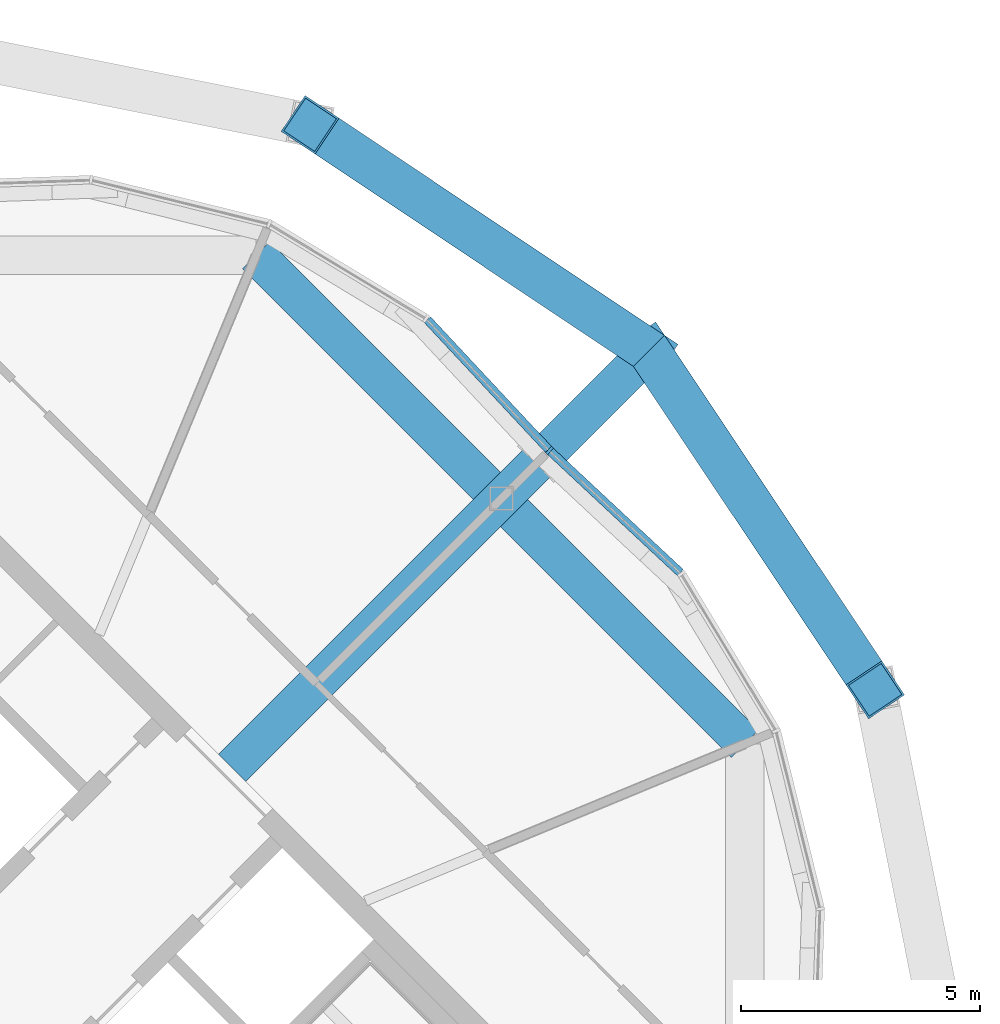
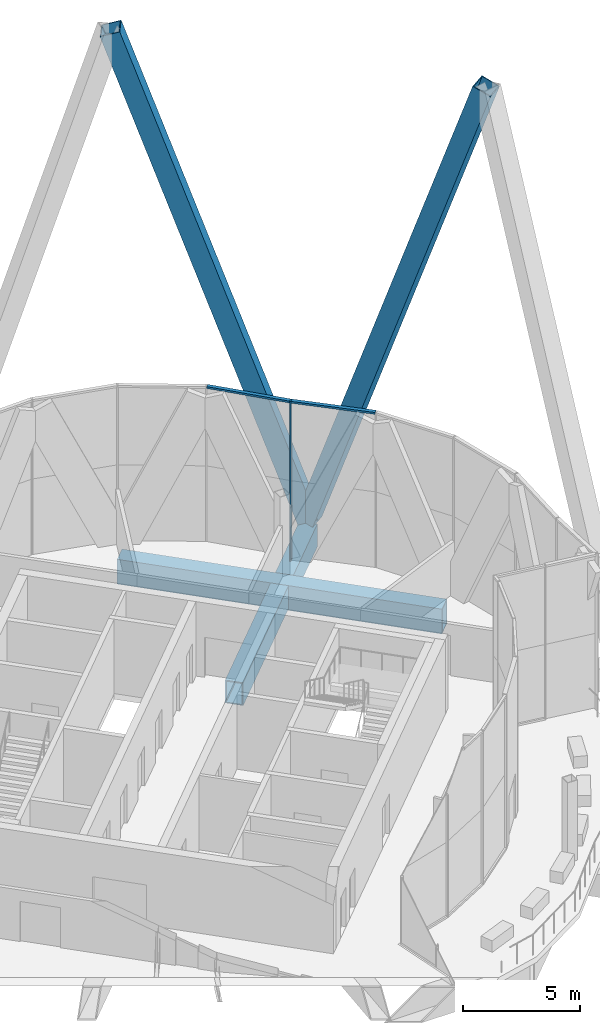
# One storey, part 24 of 38: 5 members, 2 beams, 2 elements without a shape of their own.
"""IFC4 building model written with IfcOpenShell, lengths in metres."""

from ifc_helpers import new_model, si_unit, direction, frame, origin, origin_2d, place, context, subcontext, project, spatial, rectangle, hollow_rectangle, extrude, material, material_profile, profile_set, type_object, element, aggregate, save


model = new_model("IFC4")

# Units and contexts
model_context = context("Model", 3, precision=1e-05, world=origin(), true_north=direction((0.0, 1.0)))
body_context = subcontext(model_context, "Body", "Model", "MODEL_VIEW")
ifc_project = project(units=[si_unit("LENGTHUNIT", "METRE"), si_unit("AREAUNIT", "SQUARE_METRE"), si_unit("VOLUMEUNIT", "CUBIC_METRE"), si_unit("PLANEANGLEUNIT", "RADIAN"), si_unit("MASSUNIT", "GRAM", prefix="KILO")], contexts=[model_context])

# Site, building, storey
site_placement = place(None, origin())
site = spatial("IfcSite", under=ifc_project, at=site_placement, CompositionType="ELEMENT")
building_placement = place(site_placement, origin())
building = spatial("IfcBuilding", under=site, at=building_placement, Name="Ogive Gate Towers", CompositionType="ELEMENT")
storey_placement = place(building_placement, frame((0.0, 0.0, 268.800048828125)))
storey = spatial("IfcBuildingStorey", under=building, at=storey_placement, Name="L63", CompositionType="ELEMENT", Elevation=268.800048828125)

# Members
ifc_material_1 = material(Name="Steel SM460", Category="steel")
ifc_material_profile_1 = material_profile(ifc_material_1, hollow_rectangle(XDim=0.89990234375, YDim=0.89990234375, WallThickness=0.0400390625, at=origin_2d()), Name="BX 900x900x40")
ifc_profile_set_1 = profile_set([ifc_material_profile_1], Name="Steel SM460")
member_type_1 = type_object("IfcMemberType", Name="Diagrid diagonal BX 900x900x40", PredefinedType="BRACE", material=ifc_profile_set_1)
for number, where, z_axis, x_axis, name in (
    (1, (51.422119140625, 15.422119140625, 0.0), (0.177577062234, -0.266099402159, 0.947447885184), (0.831794180755, 0.555084174574, 0.0), "T2/L63/SDG003"),
    (2, (51.422119140625, 15.422119140625, 0.0), (-0.266099402159, 0.177577062234, 0.947447885184), (-0.555084174574, -0.831794180755, 0.0), "T2/L63/SDG004"),
):
    element("IfcMember", number, at=place(storey_placement, frame(where, z_axis=z_axis, x_axis=x_axis)), inside=storey, type_object=member_type_1, Name=name, PredefinedType="BRACE", context=body_context, shape_type="SweptSolid", body=[
        extrude(hollow_rectangle(XDim=0.89990234375, YDim=0.89990234375, WallThickness=0.0400390625, at=origin_2d()), origin(), (0.0, 0.0, 1.0), 26.59765625),
    ])

# Beam
ifc_material_profile_2 = material_profile(ifc_material_1, hollow_rectangle(XDim=0.800048828125, YDim=1.300048828125, WallThickness=0.050048828125, at=origin_2d()), Name="BX 1300x800x50")
ifc_profile_set_2 = profile_set([ifc_material_profile_2], Name="Steel SM460")
beam_type_1 = type_object("IfcBeamType", Name="Edge girder BX 1300x800x50", PredefinedType="BEAM", material=ifc_profile_set_2)
beam_1_placement = place(storey_placement, frame((53.42431640625, 7.217529296875, -0.949951171875), z_axis=(-0.707106781187, 0.707106781187, 0.0), x_axis=(-0.707106781187, -0.707106781187, 0.0)))
element("IfcBeam", 3, at=beam_1_placement, inside=storey, type_object=beam_type_1, Name="T2/L63/SBM021", PredefinedType="BEAM", context=body_context, shape_type="SweptSolid", body=[
    extrude(hollow_rectangle(XDim=0.800048828125, YDim=1.300048828125, WallThickness=0.050048828125, at=origin_2d()), origin(), (0.0, 0.0, 1.0), 14.4345703125),
])

# Curtain wall, members
ifc_material_2 = material(Name="Pale metal aluminium", Category="aluminium")
curtain_wall_type = type_object("IfcCurtainWallType", Name="Tower unitised wall, high zone", PredefinedType="NOTDEFINED", material=ifc_material_2)
curtain_wall_1_placement = place(storey_placement, origin())
curtain_wall_1 = element("IfcCurtainWall", 4, at=curtain_wall_1_placement, inside=storey, type_object=curtain_wall_type, Name="CW2 T2 ECW03", PredefinedType="NOTDEFINED")
ifc_material_profile_3 = material_profile(ifc_material_2, rectangle(XDim=0.179931640625, YDim=0.06005859375, at=origin_2d()), Name="60 x 180 aluminium box")
ifc_profile_set_3 = profile_set([ifc_material_profile_3], Name="Pale metal aluminium")
member_type_2 = type_object("IfcMemberType", Name="Tower unitised wall, high zone mullion 60 x 180", PredefinedType="MULLION", material=ifc_profile_set_3)
member_1_placement = place(storey_placement, frame((49.343017578125, 13.343505859375, -0.300048828125), z_axis=(0.0, 0.0, 1.0), x_axis=(-0.682253609109, -0.73111559473, 0.0)))
member_1 = element("IfcMember", 5, at=member_1_placement, type_object=member_type_2, Name="CW2 mullion", PredefinedType="MULLION", context=body_context, shape_type="SweptSolid", body=[
    extrude(rectangle(XDim=0.179931640625, YDim=0.06005859375, at=origin_2d()), origin(), (0.0, 0.0, 1.0), 8.39990234375),
])
ifc_material_profile_4 = material_profile(ifc_material_2, rectangle(XDim=0.179931640625, YDim=0.10009765625, at=origin_2d()), Name="100 x 180 aluminium box")
ifc_profile_set_4 = profile_set([ifc_material_profile_4], Name="Pale metal aluminium")
member_type_3 = type_object("IfcMemberType", Name="Tower unitised wall, high zone transom 100 x 180", PredefinedType="USERDEFINED", material=ifc_profile_set_4)
member_2_placement = place(storey_placement, frame((49.364990234375, 13.322998046875, 8.050048828125), z_axis=(0.731099032863, -0.682271356681, 0.0), x_axis=(0.682271356681, 0.731099032863, 0.0)))
member_2 = element("IfcMember", 6, at=member_2_placement, type_object=member_type_3, Name="CW2 transom", ObjectType="TRANSOM", PredefinedType="USERDEFINED", context=body_context, shape_type="SweptSolid", body=[
    extrude(rectangle(XDim=0.179931640625, YDim=0.10009765625, at=origin_2d()), origin(), (0.0, 0.0, 1.0), 3.7099609375),
])
aggregate(curtain_wall_1, [member_1, member_2])

# Curtain wall, member
curtain_wall_2_placement = place(storey_placement, origin())
curtain_wall_2 = element("IfcCurtainWall", 7, at=curtain_wall_2_placement, inside=storey, type_object=curtain_wall_type, Name="CW2 T2 ECW04", PredefinedType="NOTDEFINED")
member_3_placement = place(storey_placement, frame((46.791748046875, 16.077392578125, 8.050048828125), z_axis=(0.682271356681, -0.731099032863, 0.0), x_axis=(0.731099032863, 0.682271356681, 0.0)))
member_3 = element("IfcMember", 8, at=member_3_placement, type_object=member_type_3, Name="CW2 transom", ObjectType="TRANSOM", PredefinedType="USERDEFINED", context=body_context, shape_type="SweptSolid", body=[
    extrude(rectangle(XDim=0.179931640625, YDim=0.10009765625, at=origin_2d()), origin(), (0.0, 0.0, 1.0), 3.7099609375),
])
aggregate(curtain_wall_2, [member_3])

# Beam
ifc_material_profile_5 = material_profile(ifc_material_1, hollow_rectangle(XDim=0.800048828125, YDim=1.199951171875, WallThickness=0.050048828125, at=origin_2d()), Name="BX 1200x800x50")
ifc_profile_set_5 = profile_set([ifc_material_profile_5], Name="Steel SM460")
beam_type_2 = type_object("IfcBeamType", Name="Transfer radial beam BX 1200x800x50", PredefinedType="BEAM", material=ifc_profile_set_5)
beam_2_placement = place(storey_placement, frame((42.717529296875, 6.717529296875, -0.900146484375), z_axis=(0.707106781187, 0.707106781187, 0.0), x_axis=(-0.707106781187, 0.707106781187, 0.0)))
element("IfcBeam", 9, at=beam_2_placement, inside=storey, type_object=beam_type_2, Name="T2/L63/SBM010", PredefinedType="BEAM", context=body_context, shape_type="SweptSolid", body=[
    extrude(hollow_rectangle(XDim=0.800048828125, YDim=1.199951171875, WallThickness=0.050048828125, at=origin_2d()), origin(), (0.0, 0.0, 1.0), 12.31005859375),
])

save(model, "model.ifc")
